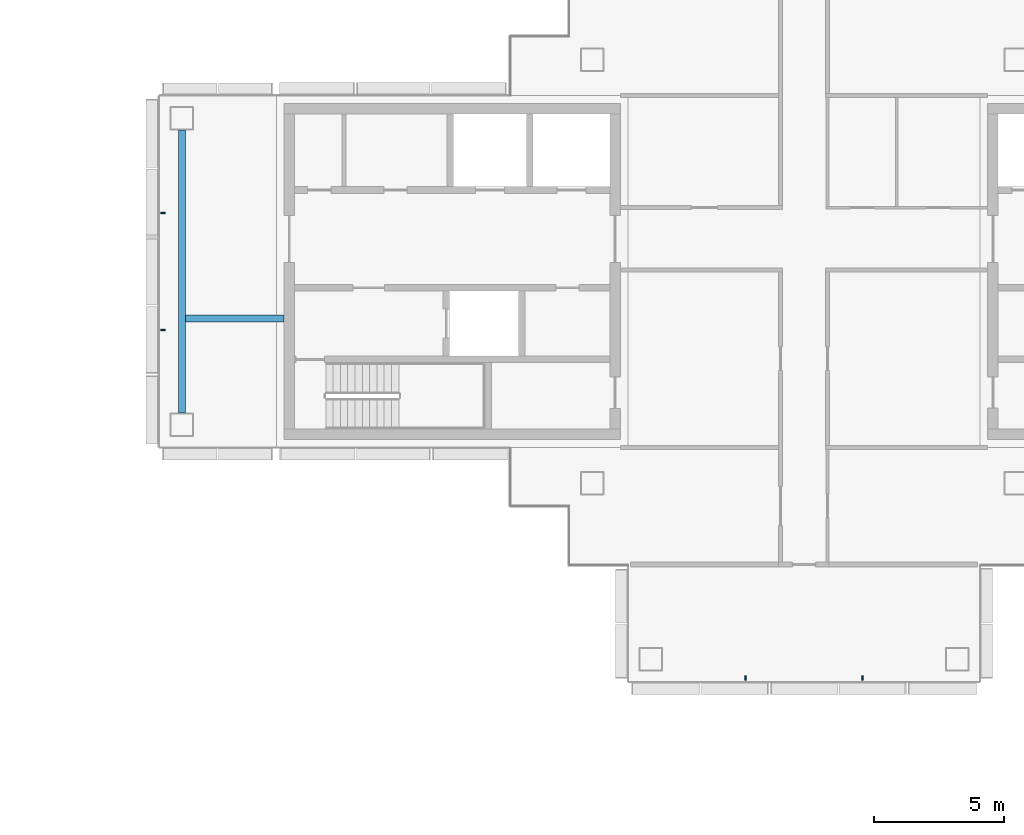
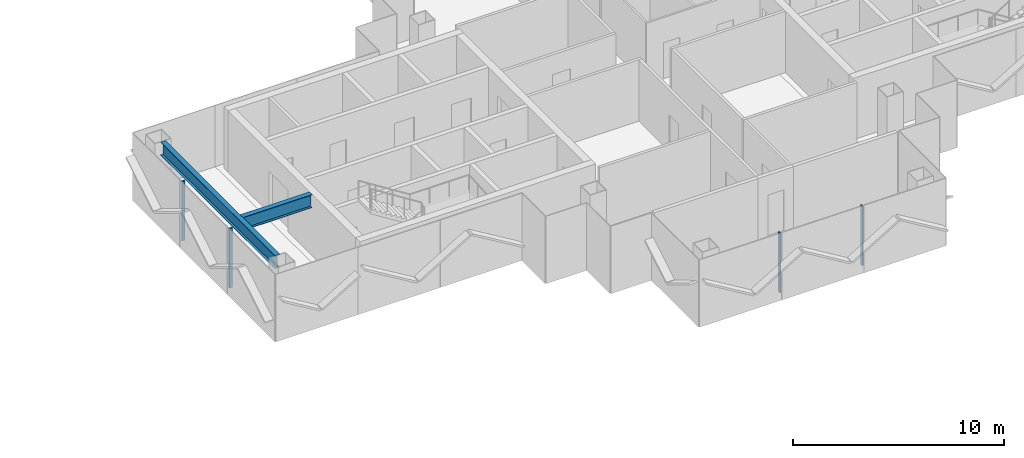
# One storey, part 5 of 17: 4 members, 2 beams, 2 elements without a shape of their own.
"""IFC4 building model written with IfcOpenShell, lengths in metres."""

from ifc_helpers import new_model, si_unit, direction, frame, origin, origin_2d, place, context, subcontext, project, spatial, rectangle, i_section, extrude, material, layer, layer_set, material_profile, profile_set, type_object, element, aggregate, save


model = new_model("IFC4")

# Units and contexts
model_context = context("Model", 3, precision=1e-05, world=origin(), true_north=direction((0.0, 1.0)))
body_context = subcontext(model_context, "Body", "Model", "MODEL_VIEW")
ifc_project = project(units=[si_unit("LENGTHUNIT", "METRE"), si_unit("AREAUNIT", "SQUARE_METRE"), si_unit("VOLUMEUNIT", "CUBIC_METRE"), si_unit("PLANEANGLEUNIT", "RADIAN"), si_unit("MASSUNIT", "GRAM", prefix="KILO")], contexts=[model_context])

# Site, building, storey
site_placement = place(None, origin())
site = spatial("IfcSite", under=ifc_project, at=site_placement, CompositionType="ELEMENT")
building_placement = place(site_placement, origin())
building = spatial("IfcBuilding", under=site, at=building_placement, Name="Shamsa Quay Exchange Towers", CompositionType="ELEMENT")
storey_placement = place(building_placement, frame((0.0, 0.0, 253.800048828125)))
storey = spatial("IfcBuildingStorey", under=building, at=storey_placement, Name="L61", CompositionType="ELEMENT", Elevation=253.800048828125)

# Curtain wall, members
ifc_material_1 = material(Name="Aluminium EN AW-6063 T6, black anodised", Category="aluminium")
ifc_layer = layer(ifc_material_1, 0.280029296875)
ifc_layer_set = layer_set([ifc_layer], Name="CW-1 UNITISED VISION GLASS")
curtain_wall_type = type_object("IfcCurtainWallType", Name="CW-1 UNITISED VISION GLASS", PredefinedType="NOTDEFINED", material=ifc_layer_set)
curtain_wall_1_placement = place(storey_placement, origin())
curtain_wall_1 = element("IfcCurtainWall", 1, at=curtain_wall_1_placement, inside=storey, type_object=curtain_wall_type, Name="CW1 T2-END-V+ L61", PredefinedType="NOTDEFINED")
ifc_material_profile_1 = material_profile(ifc_material_1, rectangle(XDim=0.179931640625, YDim=0.06005859375, at=origin_2d()), Name="MU60x180")
ifc_profile_set_1 = profile_set([ifc_material_profile_1], Name="Aluminium EN AW-6063 T6, black anodised")
member_type = type_object("IfcMemberType", Name="CW1 MULLION 60x180", PredefinedType="MULLION", material=ifc_profile_set_1)
member_1_placement = place(storey_placement, frame((9.14990234375, 2.25, 0.0)))
member_1 = element("IfcMember", 2, at=member_1_placement, type_object=member_type, Name="CW1 mullion", PredefinedType="MULLION", context=body_context, shape_type="SweptSolid", body=[
    extrude(rectangle(XDim=0.179931640625, YDim=0.06005859375, at=origin_2d()), origin(), (0.0, 0.0, 1.0), 3.449951171875),
])
member_2_placement = place(storey_placement, frame((9.14990234375, -2.25, 0.0)))
member_2 = element("IfcMember", 3, at=member_2_placement, type_object=member_type, Name="CW1 mullion", PredefinedType="MULLION", context=body_context, shape_type="SweptSolid", body=[
    extrude(rectangle(XDim=0.179931640625, YDim=0.06005859375, at=origin_2d()), origin(), (0.0, 0.0, 1.0), 3.449951171875),
])
aggregate(curtain_wall_1, [member_1, member_2])

curtain_wall_2_placement = place(storey_placement, origin())
curtain_wall_2 = element("IfcCurtainWall", 4, at=curtain_wall_2_placement, inside=storey, type_object=curtain_wall_type, Name="CW1 T2-END-U- L61", PredefinedType="NOTDEFINED")
member_3_placement = place(storey_placement, frame((31.5, -15.60009765625, 0.0), z_axis=(0.0, 0.0, 1.0), x_axis=(0.0, 1.0, 0.0)))
member_3 = element("IfcMember", 5, at=member_3_placement, type_object=member_type, Name="CW1 mullion", PredefinedType="MULLION", context=body_context, shape_type="SweptSolid", body=[
    extrude(rectangle(XDim=0.179931640625, YDim=0.06005859375, at=origin_2d()), origin(), (0.0, 0.0, 1.0), 3.449951171875),
])
member_4_placement = place(storey_placement, frame((36.0, -15.60009765625, 0.0), z_axis=(0.0, 0.0, 1.0), x_axis=(0.0, 1.0, 0.0)))
member_4 = element("IfcMember", 6, at=member_4_placement, type_object=member_type, Name="CW1 mullion", PredefinedType="MULLION", context=body_context, shape_type="SweptSolid", body=[
    extrude(rectangle(XDim=0.179931640625, YDim=0.06005859375, at=origin_2d()), origin(), (0.0, 0.0, 1.0), 3.449951171875),
])
aggregate(curtain_wall_2, [member_3, member_4])

# Beams
ifc_material_2 = material(Name="Steel S355", Category="steel")
ifc_material_profile_2 = material_profile(ifc_material_2, i_section(OverallWidth=0.26611328125, OverallDepth=0.7578125, WebThickness=0.013916015625, FlangeThickness=0.019287109375, at=origin_2d()), Name="W30x108")
ifc_profile_set_2 = profile_set([ifc_material_profile_2], Name="Steel S355")
beam_type = type_object("IfcBeamType", Name="End-zone beam W30x108", PredefinedType="BEAM", material=ifc_profile_set_2)
beam_1_placement = place(storey_placement, frame((9.875, -5.425048828125, 3.171142578125), z_axis=(0.0, 1.0, 0.0), x_axis=(-1.0, 0.0, 0.0)))
element("IfcBeam", 7, at=beam_1_placement, inside=storey, type_object=beam_type, Name="End beam T2 V+ end zone L61", PredefinedType="BEAM", context=body_context, shape_type="SweptSolid", body=[
    extrude(i_section(OverallWidth=0.26611328125, OverallDepth=0.7578125, WebThickness=0.013916015625, FlangeThickness=0.019287109375, at=origin_2d()), origin(), (0.0, 0.0, 1.0), 10.85009765625),
])
beam_2_placement = place(storey_placement, frame((13.800048828125, -1.800048828125, 3.171142578125), z_axis=(-1.0, 0.0, 0.0), x_axis=(0.0, -1.0, 0.0)))
element("IfcBeam", 8, at=beam_2_placement, inside=storey, type_object=beam_type, Name="Spine beam T2 V+ end zone L61", PredefinedType="BEAM", context=body_context, shape_type="SweptSolid", body=[
    extrude(i_section(OverallWidth=0.26611328125, OverallDepth=0.7578125, WebThickness=0.013916015625, FlangeThickness=0.019287109375, at=origin_2d()), origin(), (0.0, 0.0, 1.0), 3.7919921875),
])

save(model, "model.ifc")
